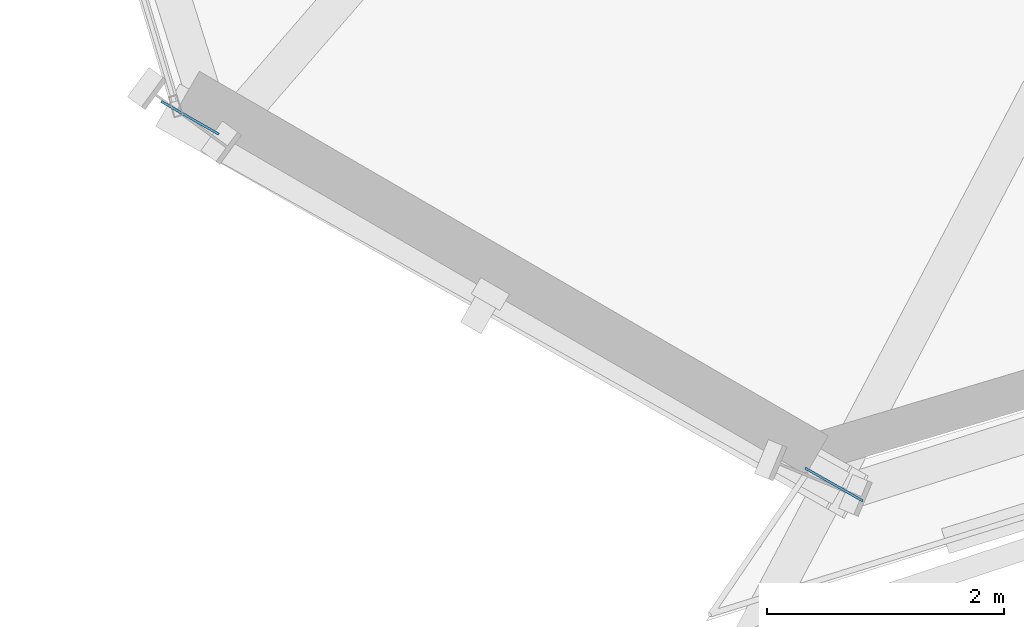
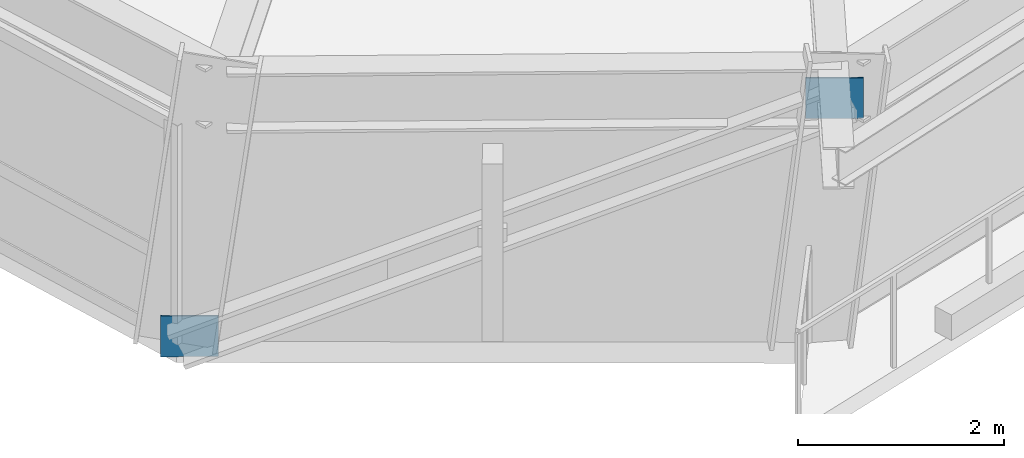
# One storey, part 14 of 22: 2 plates.
"""IFC4 building model written with IfcOpenShell, lengths in metres."""

from ifc_helpers import new_model, si_unit, direction, frame, origin, origin_2d, place, context, subcontext, project, spatial, rectangle, extrude, source, transform, mapped, material, type_object, element, save


model = new_model("IFC4")

# Units and contexts
model_context = context("Model", 3, precision=1e-05, world=origin(), true_north=direction((0.0, 1.0)))
body_context = subcontext(model_context, "Body", "Model", "MODEL_VIEW")
ifc_project = project(units=[si_unit("LENGTHUNIT", "METRE"), si_unit("AREAUNIT", "SQUARE_METRE"), si_unit("VOLUMEUNIT", "CUBIC_METRE"), si_unit("PLANEANGLEUNIT", "RADIAN"), si_unit("MASSUNIT", "GRAM", prefix="KILO")], contexts=[model_context])

# Site, building, storey
site_placement = place(None, origin())
site = spatial("IfcSite", under=ifc_project, at=site_placement, CompositionType="ELEMENT")
building_placement = place(site_placement, origin())
building = spatial("IfcBuilding", under=site, at=building_placement, Name="Olszyna Solenne Hotel", CompositionType="ELEMENT")
storey_placement = place(building_placement, frame((0.0, 0.0, 50.60009765625)))
storey = spatial("IfcBuildingStorey", under=building, at=storey_placement, Name="L12", CompositionType="ELEMENT", Elevation=50.60009765625)

# Plates
ifc_material = material(Name="Steel S355J2", Category="steel")
plate_type = type_object("IfcPlateType", Name="GP-ND2", PredefinedType="USERDEFINED", material=ifc_material)
shared_shape = source(origin(), body_context, "Body", "SweptSolid", [
    extrude(rectangle(XDim=0.56005859375, YDim=0.02001953125, at=origin_2d()), origin(), (0.0, 0.0, 1.0), 0.47998046875),
])
for number, where, z_axis, x_axis, name in (
    (1, (20.91455078125, 7.325439453125, -0.173095703125), (0.0, 0.0, 1.0), (0.868977198133, -0.494852128545, 0.0), "Brace end connection gusset plate GP-ND2 EP-BR-L12-3-1"),
    (2, (26.34765625, 4.2314453125, 2.617919921875), (0.0, 0.0, 1.0), (0.868977198133, -0.494852128545, 0.0), "Brace end connection gusset plate GP-ND2 EP-BR-L12-3-2"),
):
    element("IfcPlate", number, at=place(storey_placement, frame(where, z_axis=z_axis, x_axis=x_axis)), inside=storey, type_object=plate_type, Name=name, ObjectType="GUSSET_PLATE", PredefinedType="USERDEFINED", context=body_context, shape_type="MappedRepresentation", body=[
        mapped(shared_shape, transform((0.0, 0.0, 0.0), x_axis=(1.0, 0.0, 0.0), y_axis=(0.0, 1.0, 0.0), z_axis=(0.0, 0.0, 1.0), scale=1.0)),
    ])

save(model, "model.ifc")
